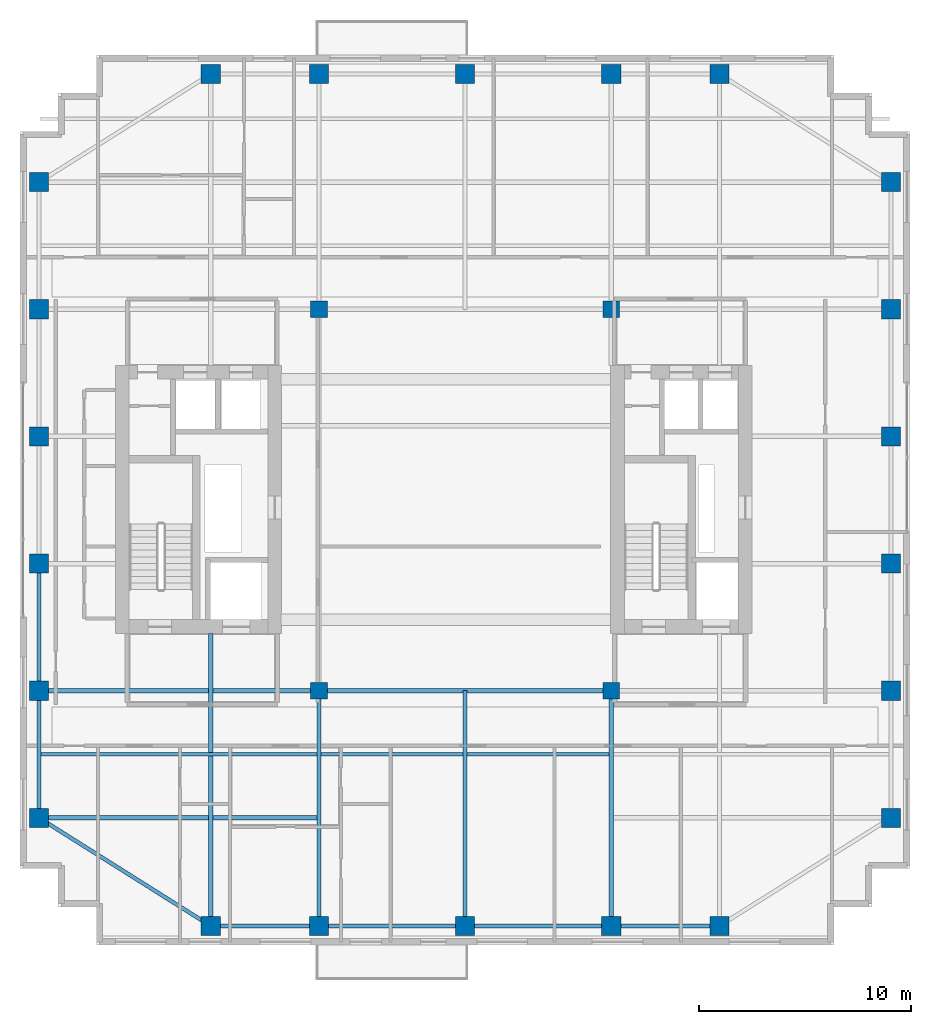
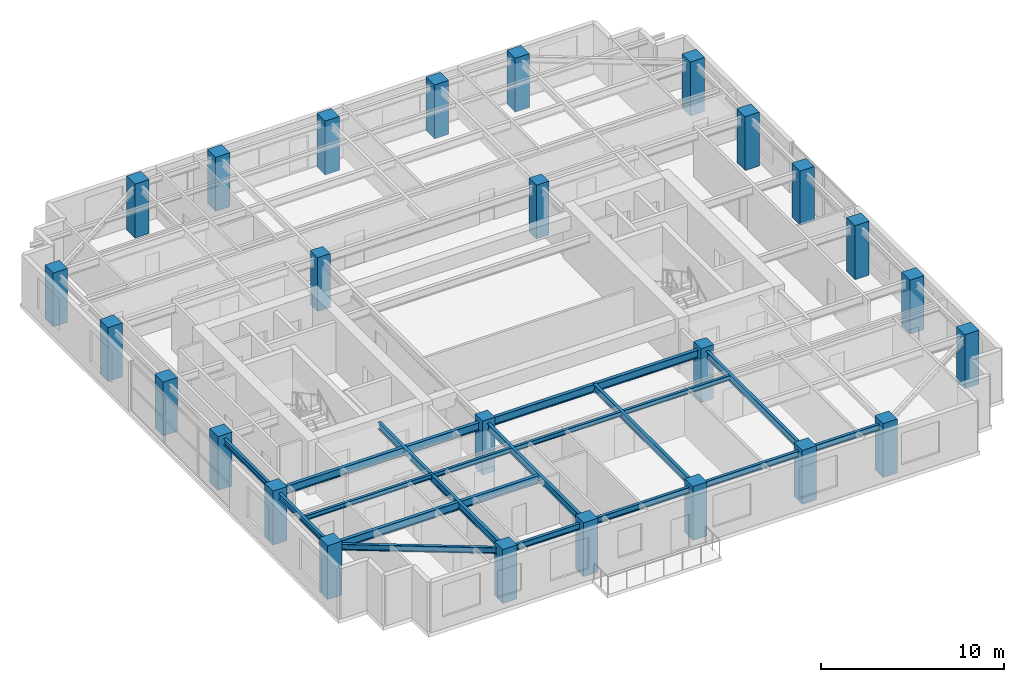
# One storey, part 1 of 15: 26 columns, 16 beams.
"""IFC4 building model written with IfcOpenShell, lengths in metres."""

from ifc_helpers import new_model, si_unit, direction, frame, origin, origin_2d, place, context, subcontext, project, spatial, rectangle, i_section, extrude, source, transform, mapped, material, material_profile, profile_set, type_object, element, save


model = new_model("IFC4")

# Units and contexts
model_context = context("Model", 3, precision=1e-05, world=origin(), true_north=direction((0.0, 1.0)))
body_context = subcontext(model_context, "Body", "Model", "MODEL_VIEW")
ifc_project = project(units=[si_unit("LENGTHUNIT", "METRE"), si_unit("AREAUNIT", "SQUARE_METRE"), si_unit("VOLUMEUNIT", "CUBIC_METRE"), si_unit("PLANEANGLEUNIT", "RADIAN"), si_unit("MASSUNIT", "GRAM", prefix="KILO")], contexts=[model_context])

# Site, building, storey
site_placement = place(None, origin())
site = spatial("IfcSite", under=ifc_project, at=site_placement, CompositionType="ELEMENT")
building_placement = place(site_placement, origin())
building = spatial("IfcBuilding", under=site, at=building_placement, Name="Khoralis Quay Care Tower", CompositionType="ELEMENT")
storey_placement = place(building_placement, frame((0.0, 0.0, 162.89990234375)))
storey = spatial("IfcBuildingStorey", under=building, at=storey_placement, Name="L42", CompositionType="ELEMENT", Elevation=162.89990234375)

# Columns
ifc_material_1 = material(Name="Concrete C65/80", Category="concrete")
ifc_material_profile_1 = material_profile(ifc_material_1, rectangle(XDim=0.89990234375, YDim=0.89990234375, at=origin_2d()), Name="Concrete C65/80")
ifc_profile_set_1 = profile_set([ifc_material_profile_1], Name="Concrete C65/80")
column_type_1 = type_object("IfcColumnType", Name="COL-C900", PredefinedType="COLUMN", material=ifc_profile_set_1)
shared_shape_1 = source(origin(), body_context, "Body", "SweptSolid", [
    extrude(rectangle(XDim=0.89990234375, YDim=0.89990234375, at=origin_2d()), origin(), (0.0, 0.0, 1.0), 3.60009765625),
])
for number, where, z_axis, x_axis, name in (
    (1, (12.0, 0.89990234375, 0.0), (0.0, 0.0, 1.0), (1.0, 0.0, 0.0), "COL-TWR-L42-01"),
    (2, (12.0, 41.10009765625, 0.0), (0.0, 0.0, 1.0), (1.0, 0.0, 0.0), "COL-TWR-L42-02"),
    (3, (17.10009765625, 0.89990234375, 0.0), (0.0, 0.0, 1.0), (1.0, 0.0, 0.0), "COL-TWR-L42-03"),
    (4, (17.10009765625, 41.10009765625, 0.0), (0.0, 0.0, 1.0), (1.0, 0.0, 0.0), "COL-TWR-L42-04"),
    (5, (24.0, 0.89990234375, 0.0), (0.0, 0.0, 1.0), (1.0, 0.0, 0.0), "COL-TWR-L42-05"),
    (6, (24.0, 41.10009765625, 0.0), (0.0, 0.0, 1.0), (1.0, 0.0, 0.0), "COL-TWR-L42-06"),
    (7, (30.89990234375, 0.89990234375, 0.0), (0.0, 0.0, 1.0), (1.0, 0.0, 0.0), "COL-TWR-L42-07"),
    (8, (30.89990234375, 41.10009765625, 0.0), (0.0, 0.0, 1.0), (1.0, 0.0, 0.0), "COL-TWR-L42-08"),
    (9, (36.0, 0.89990234375, 0.0), (0.0, 0.0, 1.0), (1.0, 0.0, 0.0), "COL-TWR-L42-09"),
    (10, (36.0, 41.10009765625, 0.0), (0.0, 0.0, 1.0), (1.0, 0.0, 0.0), "COL-TWR-L42-10"),
    (11, (3.89990234375, 6.0, 0.0), (0.0, 0.0, 1.0), (1.0, 0.0, 0.0), "COL-TWR-L42-11"),
    (12, (44.10009765625, 6.0, 0.0), (0.0, 0.0, 1.0), (1.0, 0.0, 0.0), "COL-TWR-L42-12"),
    (13, (3.89990234375, 12.0, 0.0), (0.0, 0.0, 1.0), (1.0, 0.0, 0.0), "COL-TWR-L42-13"),
    (14, (44.10009765625, 12.0, 0.0), (0.0, 0.0, 1.0), (1.0, 0.0, 0.0), "COL-TWR-L42-14"),
    (15, (3.89990234375, 18.0, 0.0), (0.0, 0.0, 1.0), (1.0, 0.0, 0.0), "COL-TWR-L42-15"),
    (16, (44.10009765625, 18.0, 0.0), (0.0, 0.0, 1.0), (1.0, 0.0, 0.0), "COL-TWR-L42-16"),
    (17, (3.89990234375, 24.0, 0.0), (0.0, 0.0, 1.0), (1.0, 0.0, 0.0), "COL-TWR-L42-17"),
    (18, (44.10009765625, 24.0, 0.0), (0.0, 0.0, 1.0), (1.0, 0.0, 0.0), "COL-TWR-L42-18"),
    (19, (3.89990234375, 30.0, 0.0), (0.0, 0.0, 1.0), (1.0, 0.0, 0.0), "COL-TWR-L42-19"),
    (20, (44.10009765625, 30.0, 0.0), (0.0, 0.0, 1.0), (1.0, 0.0, 0.0), "COL-TWR-L42-20"),
    (21, (3.89990234375, 36.0, 0.0), (0.0, 0.0, 1.0), (1.0, 0.0, 0.0), "COL-TWR-L42-21"),
    (22, (44.10009765625, 36.0, 0.0), (0.0, 0.0, 1.0), (1.0, 0.0, 0.0), "COL-TWR-L42-22"),
):
    element("IfcColumn", number, at=place(storey_placement, frame(where, z_axis=z_axis, x_axis=x_axis)), inside=storey, type_object=column_type_1, Name=name, PredefinedType="COLUMN", context=body_context, shape_type="MappedRepresentation", body=[
        mapped(shared_shape_1, transform((0.0, 0.0, 0.0), scale=1.0)),
    ])
ifc_material_2 = material(Name="Concrete C50/60", Category="concrete")
ifc_material_profile_2 = material_profile(ifc_material_2, rectangle(XDim=0.800048828125, YDim=0.800048828125, at=origin_2d()), Name="Concrete C50/60")
ifc_profile_set_2 = profile_set([ifc_material_profile_2], Name="Concrete C50/60")
column_type_2 = type_object("IfcColumnType", Name="COL-C800", PredefinedType="COLUMN", material=ifc_profile_set_2)
shared_shape_2 = source(origin(), body_context, "Body", "SweptSolid", [
    extrude(rectangle(XDim=0.800048828125, YDim=0.800048828125, at=origin_2d()), origin(), (0.0, 0.0, 1.0), 3.60009765625),
])
for number, where, z_axis, x_axis, name in (
    (23, (17.10009765625, 12.0, 0.0), (0.0, 0.0, 1.0), (1.0, 0.0, 0.0), "COL-TWR-L42-23"),
    (24, (17.10009765625, 30.0, 0.0), (0.0, 0.0, 1.0), (1.0, 0.0, 0.0), "COL-TWR-L42-24"),
    (25, (30.89990234375, 12.0, 0.0), (0.0, 0.0, 1.0), (1.0, 0.0, 0.0), "COL-TWR-L42-25"),
    (26, (30.89990234375, 30.0, 0.0), (0.0, 0.0, 1.0), (1.0, 0.0, 0.0), "COL-TWR-L42-26"),
):
    element("IfcColumn", number, at=place(storey_placement, frame(where, z_axis=z_axis, x_axis=x_axis)), inside=storey, type_object=column_type_2, Name=name, PredefinedType="COLUMN", context=body_context, shape_type="MappedRepresentation", body=[
        mapped(shared_shape_2, transform((0.0, 0.0, 0.0), scale=1.0)),
    ])

# Beams
ifc_material_3 = material(Name="Steel S355", Category="steel")
ifc_material_profile_3 = material_profile(ifc_material_3, i_section(OverallWidth=0.179931640625, OverallDepth=0.39990234375, WebThickness=0.008544921875, FlangeThickness=0.013427734375, FilletRadius=0.02099609375, at=origin_2d()), Name="Steel S355")
ifc_profile_set_3 = profile_set([ifc_material_profile_3], Name="Steel S355")
beam_type_1 = type_object("IfcBeamType", Name="BM-IPE400", PredefinedType="SPANDREL", material=ifc_profile_set_3)
shared_shape_3 = source(origin(), body_context, "Body", "SweptSolid", [
    extrude(i_section(OverallWidth=0.179931640625, OverallDepth=0.39990234375, WebThickness=0.008544921875, FlangeThickness=0.013427734375, FilletRadius=0.02099609375, at=origin_2d()), origin(), (0.0, 0.0, 1.0), 6.0),
])
for number, where, z_axis, x_axis, name in (
    (27, (3.89990234375, 6.0, 3.14013671875), (0.0, 1.0, 0.0), (-1.0, 0.0, 0.0), "BM-TSP-L42-09"),
    (28, (3.89990234375, 12.0, 3.14013671875), (0.0, 1.0, 0.0), (-1.0, 0.0, 0.0), "BM-TSP-L42-10"),
):
    element("IfcBeam", number, at=place(storey_placement, frame(where, z_axis=z_axis, x_axis=x_axis)), inside=storey, type_object=beam_type_1, Name=name, PredefinedType="SPANDREL", context=body_context, shape_type="MappedRepresentation", body=[
        mapped(shared_shape_3, transform((0.0, 0.0, 0.0), scale=1.0)),
    ])
shared_shape_4 = source(origin(), body_context, "Body", "SweptSolid", [
    extrude(i_section(OverallWidth=0.179931640625, OverallDepth=0.39990234375, WebThickness=0.008544921875, FlangeThickness=0.013427734375, FilletRadius=0.02099609375, at=origin_2d()), origin(), (0.0, 0.0, 1.0), 5.10009765625),
])
for number, where, z_axis, x_axis, name in (
    (29, (12.0, 0.89990234375, 3.14013671875), (1.0, 0.0, 0.0), (0.0, 1.0, 0.0), "BM-TSP-L42-01"),
    (30, (30.89990234375, 0.89990234375, 3.14013671875), (1.0, 0.0, 0.0), (0.0, 1.0, 0.0), "BM-TSP-L42-04"),
):
    element("IfcBeam", number, at=place(storey_placement, frame(where, z_axis=z_axis, x_axis=x_axis)), inside=storey, type_object=beam_type_1, Name=name, PredefinedType="SPANDREL", context=body_context, shape_type="MappedRepresentation", body=[
        mapped(shared_shape_4, transform((0.0, 0.0, 0.0), scale=1.0)),
    ])
shared_shape_5 = source(origin(), body_context, "Body", "SweptSolid", [
    extrude(i_section(OverallWidth=0.179931640625, OverallDepth=0.39990234375, WebThickness=0.008544921875, FlangeThickness=0.013427734375, FilletRadius=0.02099609375, at=origin_2d()), origin(), (0.0, 0.0, 1.0), 6.89990234375),
])
for number, where, z_axis, x_axis, name in (
    (31, (17.10009765625, 0.89990234375, 3.14013671875), (1.0, 0.0, 0.0), (0.0, 1.0, 0.0), "BM-TSP-L42-02"),
    (32, (24.0, 0.89990234375, 3.14013671875), (1.0, 0.0, 0.0), (0.0, 1.0, 0.0), "BM-TSP-L42-03"),
):
    element("IfcBeam", number, at=place(storey_placement, frame(where, z_axis=z_axis, x_axis=x_axis)), inside=storey, type_object=beam_type_1, Name=name, PredefinedType="SPANDREL", context=body_context, shape_type="MappedRepresentation", body=[
        mapped(shared_shape_5, transform((0.0, 0.0, 0.0), scale=1.0)),
    ])
shared_shape_6 = source(origin(), body_context, "Body", "SweptSolid", [
    extrude(i_section(OverallWidth=0.179931640625, OverallDepth=0.39990234375, WebThickness=0.008544921875, FlangeThickness=0.013427734375, FilletRadius=0.02099609375, at=origin_2d()), origin(), (0.0, 0.0, 1.0), 9.572021484375),
])
beam_1_placement = place(storey_placement, frame((12.0, 0.89990234375, 3.14013671875), z_axis=(-0.846231136359, 0.532815975602, 0.0), x_axis=(-0.532815975602, -0.846231136359, 0.0)))
element("IfcBeam", 33, at=beam_1_placement, inside=storey, type_object=beam_type_1, Name="BM-TCR-L42-19", PredefinedType="SPANDREL", context=body_context, shape_type="MappedRepresentation", body=[
    mapped(shared_shape_6, transform((0.0, 0.0, 0.0), scale=1.0)),
])
ifc_material_profile_4 = material_profile(ifc_material_3, i_section(OverallWidth=0.208984375, OverallDepth=0.532958984375, WebThickness=0.01025390625, FlangeThickness=0.015625, FilletRadius=0.01611328125, at=origin_2d()), Name="Steel S355")
ifc_profile_set_4 = profile_set([ifc_material_profile_4], Name="Steel S355")
beam_type_2 = type_object("IfcBeamType", Name="BM-W530X92", PredefinedType="BEAM", material=ifc_profile_set_4)
shared_shape_7 = source(origin(), body_context, "Body", "SweptSolid", [
    extrude(i_section(OverallWidth=0.208984375, OverallDepth=0.532958984375, WebThickness=0.01025390625, FlangeThickness=0.015625, FilletRadius=0.01611328125, at=origin_2d()), origin(), (0.0, 0.0, 1.0), 13.1162109375),
])
beam_2_placement = place(storey_placement, frame((3.89990234375, 6.0, 3.073486328125), z_axis=(1.0, 0.0, 0.0), x_axis=(0.0, 1.0, 0.0)))
element("IfcBeam", 34, at=beam_2_placement, inside=storey, type_object=beam_type_2, Name="BM-TGXW-L42-60", PredefinedType="BEAM", context=body_context, shape_type="MappedRepresentation", body=[
    mapped(shared_shape_7, transform((0.0, 0.0, 0.0), scale=1.0)),
])
shared_shape_8 = source(origin(), body_context, "Body", "SweptSolid", [
    extrude(i_section(OverallWidth=0.208984375, OverallDepth=0.532958984375, WebThickness=0.01025390625, FlangeThickness=0.015625, FilletRadius=0.01611328125, at=origin_2d()), origin(), (0.0, 0.0, 1.0), 13.2001953125),
])
beam_3_placement = place(storey_placement, frame((3.89990234375, 12.0, 3.073486328125), z_axis=(1.0, 0.0, 0.0), x_axis=(0.0, 1.0, 0.0)))
element("IfcBeam", 35, at=beam_3_placement, inside=storey, type_object=beam_type_2, Name="BM-TGXW-L42-120", PredefinedType="BEAM", context=body_context, shape_type="MappedRepresentation", body=[
    mapped(shared_shape_8, transform((0.0, 0.0, 0.0), scale=1.0)),
])
shared_shape_9 = source(origin(), body_context, "Body", "SweptSolid", [
    extrude(i_section(OverallWidth=0.208984375, OverallDepth=0.532958984375, WebThickness=0.01025390625, FlangeThickness=0.015625, FilletRadius=0.01611328125, at=origin_2d()), origin(), (0.0, 0.0, 1.0), 13.7998046875),
])
beam_4_placement = place(storey_placement, frame((17.10009765625, 12.0, 3.073486328125), z_axis=(1.0, 0.0, 0.0), x_axis=(0.0, 1.0, 0.0)))
element("IfcBeam", 36, at=beam_4_placement, inside=storey, type_object=beam_type_2, Name="BM-TGCC-L42-120", PredefinedType="BEAM", context=body_context, shape_type="MappedRepresentation", body=[
    mapped(shared_shape_9, transform((0.0, 0.0, 0.0), scale=1.0)),
])
ifc_material_profile_5 = material_profile(ifc_material_3, i_section(OverallWidth=0.19189453125, OverallDepth=0.462890625, WebThickness=0.010498046875, FlangeThickness=0.017578125, FilletRadius=0.014892578125, at=origin_2d()), Name="Steel S355")
ifc_profile_set_5 = profile_set([ifc_material_profile_5], Name="Steel S355")
beam_type_3 = type_object("IfcBeamType", Name="BM-W460X89", PredefinedType="BEAM", material=ifc_profile_set_5)
shared_shape_10 = source(origin(), body_context, "Body", "SweptSolid", [
    extrude(i_section(OverallWidth=0.19189453125, OverallDepth=0.462890625, WebThickness=0.010498046875, FlangeThickness=0.017578125, FilletRadius=0.014892578125, at=origin_2d()), origin(), (0.0, 0.0, 1.0), 13.802001953125),
])
beam_5_placement = place(storey_placement, frame((12.0, 0.89990234375, 3.108642578125), z_axis=(0.0, 1.0, 0.0), x_axis=(-1.0, 0.0, 0.0)))
element("IfcBeam", 37, at=beam_5_placement, inside=storey, type_object=beam_type_3, Name="BM-TGYS-L42-120", PredefinedType="BEAM", context=body_context, shape_type="MappedRepresentation", body=[
    mapped(shared_shape_10, transform((0.0, 0.0, 0.0), scale=1.0)),
])
shared_shape_11 = source(origin(), body_context, "Body", "SweptSolid", [
    extrude(i_section(OverallWidth=0.19189453125, OverallDepth=0.462890625, WebThickness=0.010498046875, FlangeThickness=0.017578125, FilletRadius=0.014892578125, at=origin_2d()), origin(), (0.0, 0.0, 1.0), 11.10009765625),
])
for number, where, z_axis, x_axis, name in (
    (38, (17.10009765625, 0.89990234375, 3.108642578125), (0.0, 1.0, 0.0), (-1.0, 0.0, 0.0), "BM-TGYS-L42-171"),
    (39, (24.0, 0.89990234375, 3.108642578125), (0.0, 1.0, 0.0), (-1.0, 0.0, 0.0), "BM-TGYS-L42-240"),
    (40, (30.89990234375, 0.89990234375, 3.108642578125), (0.0, 1.0, 0.0), (-1.0, 0.0, 0.0), "BM-TGYS-L42-309"),
):
    element("IfcBeam", number, at=place(storey_placement, frame(where, z_axis=z_axis, x_axis=x_axis)), inside=storey, type_object=beam_type_3, Name=name, PredefinedType="BEAM", context=body_context, shape_type="MappedRepresentation", body=[
        mapped(shared_shape_11, transform((0.0, 0.0, 0.0), scale=1.0)),
    ])
ifc_material_profile_6 = material_profile(ifc_material_3, i_section(OverallWidth=0.1650390625, OverallDepth=0.31005859375, WebThickness=0.005859375, FlangeThickness=0.009765625, FilletRadius=0.011962890625, at=origin_2d()), Name="Steel S355")
ifc_profile_set_6 = profile_set([ifc_material_profile_6], Name="Steel S355")
beam_type_4 = type_object("IfcBeamType", Name="BM-W310X39", PredefinedType="JOIST", material=ifc_profile_set_6)
shared_shape_12 = source(origin(), body_context, "Body", "SweptSolid", [
    extrude(i_section(OverallWidth=0.1650390625, OverallDepth=0.31005859375, WebThickness=0.005859375, FlangeThickness=0.009765625, FilletRadius=0.011962890625, at=origin_2d()), origin(), (0.0, 0.0, 1.0), 13.0400390625),
])
beam_6_placement = place(storey_placement, frame((3.97607421875, 9.0, 3.18505859375), z_axis=(1.0, 0.0, 0.0), x_axis=(0.0, 1.0, 0.0)))
element("IfcBeam", 41, at=beam_6_placement, inside=storey, type_object=beam_type_4, Name="BM-TJS-L42-23", PredefinedType="JOIST", context=body_context, shape_type="MappedRepresentation", body=[
    mapped(shared_shape_12, transform((0.0, 0.0, 0.0), scale=1.0)),
])
shared_shape_13 = source(origin(), body_context, "Body", "SweptSolid", [
    extrude(i_section(OverallWidth=0.1650390625, OverallDepth=0.31005859375, WebThickness=0.005859375, FlangeThickness=0.009765625, FilletRadius=0.011962890625, at=origin_2d()), origin(), (0.0, 0.0, 1.0), 13.6318359375),
])
beam_7_placement = place(storey_placement, frame((17.18408203125, 9.0, 3.18505859375), z_axis=(1.0, 0.0, 0.0), x_axis=(0.0, 1.0, 0.0)))
element("IfcBeam", 42, at=beam_7_placement, inside=storey, type_object=beam_type_4, Name="BM-TJS-L42-25", PredefinedType="JOIST", context=body_context, shape_type="MappedRepresentation", body=[
    mapped(shared_shape_13, transform((0.0, 0.0, 0.0), scale=1.0)),
])

save(model, "model.ifc")
